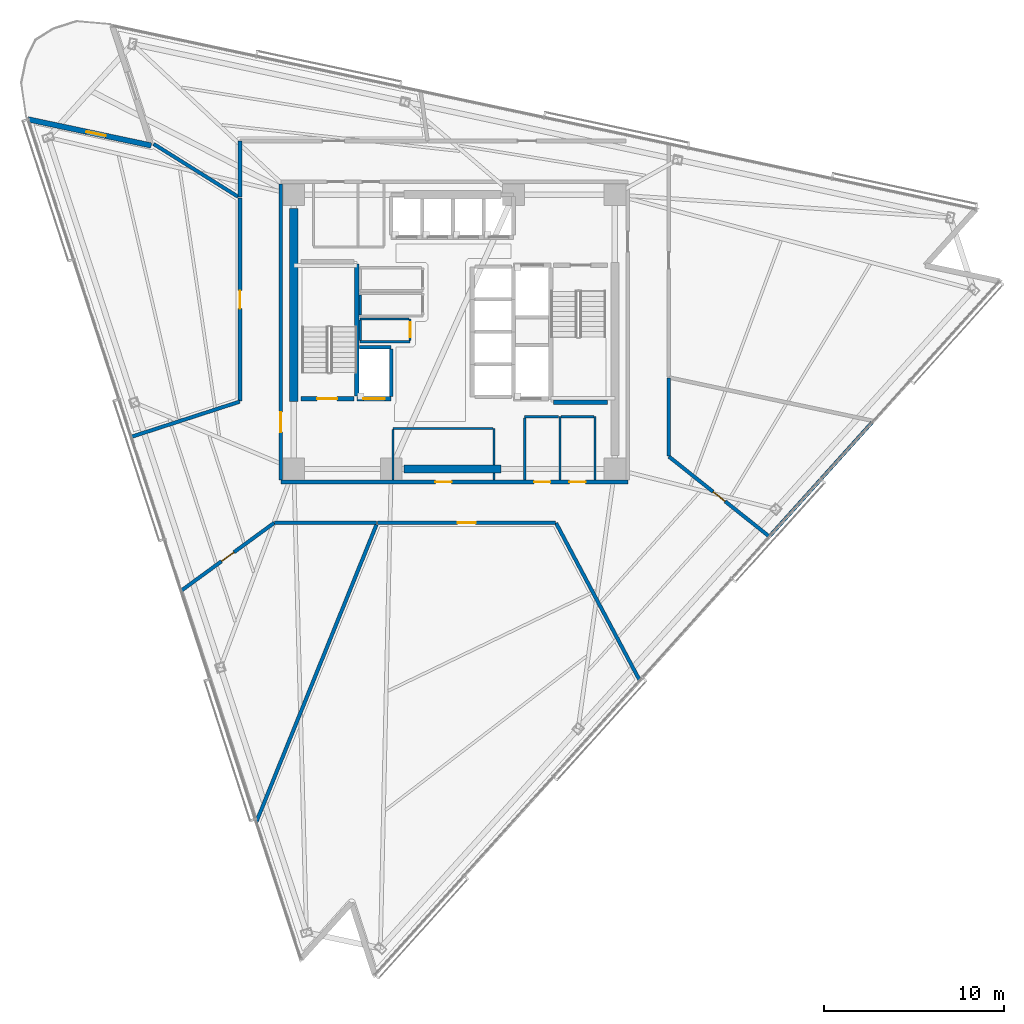
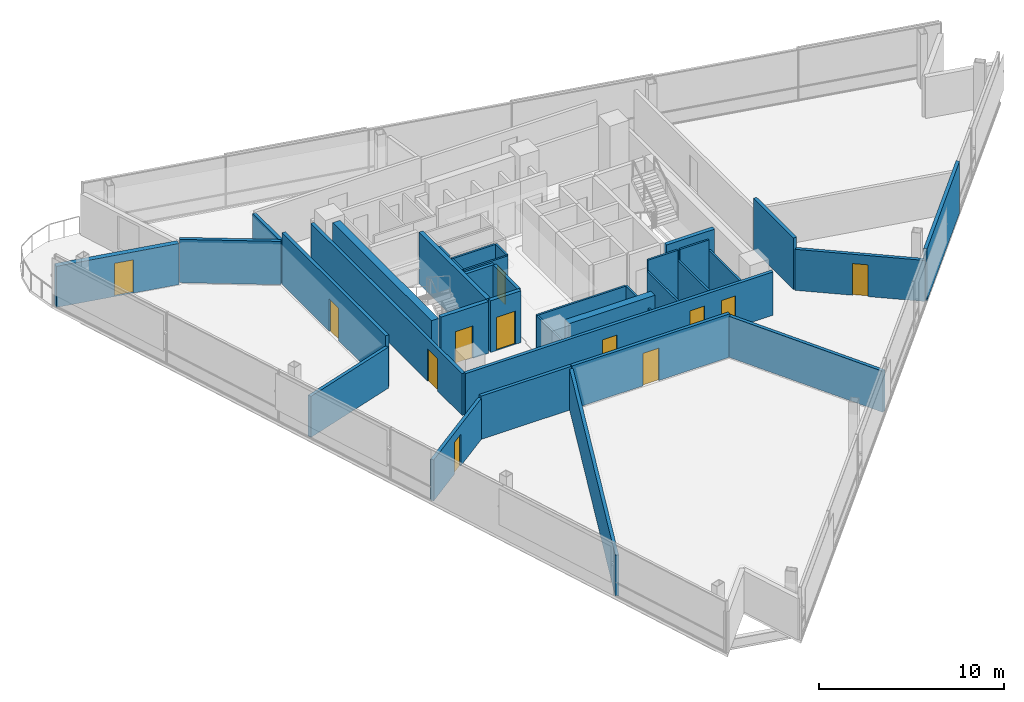
# One storey, part 10 of 17: 37 walls, 12 doors, 12 openings.
"""IFC4 building model written with IfcOpenShell, lengths in metres."""

from ifc_helpers import new_model, si_unit, direction, frame, frame_2d, origin, place, context, subcontext, project, spatial, rectangle, extrude, material, layer, layer_set, type_object, element, fill, save


model = new_model("IFC4")

# Units and contexts
model_context = context("Model", 3, precision=1e-05, world=origin(), true_north=direction((0.0, 1.0)))
body_context = subcontext(model_context, "Body", "Model", "MODEL_VIEW")
ifc_project = project(units=[si_unit("LENGTHUNIT", "METRE"), si_unit("AREAUNIT", "SQUARE_METRE"), si_unit("VOLUMEUNIT", "CUBIC_METRE"), si_unit("PLANEANGLEUNIT", "RADIAN"), si_unit("MASSUNIT", "GRAM", prefix="KILO")], contexts=[model_context])

# Site, building, storey
site_placement = place(None, origin())
site = spatial("IfcSite", under=ifc_project, at=site_placement, CompositionType="ELEMENT")
building_placement = place(site_placement, origin())
building = spatial("IfcBuilding", under=site, at=building_placement, Name="Tharavind Bronze Gate", CompositionType="ELEMENT")
storey_placement = place(building_placement, frame((0.0, 0.0, 207.64990234375)))
storey = spatial("IfcBuildingStorey", under=building, at=storey_placement, Name="L53", CompositionType="ELEMENT", Elevation=207.64990234375)

# Wall, opening, door
ifc_material_1 = material(Name="Concrete C40/50", Category="concrete")
ifc_layer_1 = layer(ifc_material_1, 0.300048828125)
ifc_layer_set_1 = layer_set([ifc_layer_1], Name="Concrete C40/50")
wall_type_1 = type_object("IfcWallType", Name="EXTERIOR SPANDREL WALL 300", PredefinedType="STANDARD", material=ifc_layer_set_1)
wall_1_placement = place(storey_placement, frame((-16.802734375, 10.329345703125, 0.0), z_axis=(0.0, 0.0, 1.0), x_axis=(-0.9781486268, 0.207906863497, 0.0)))
wall_1 = element("IfcWall", 1, at=wall_1_placement, inside=storey, type_object=wall_type_1, Name="L53 notch cheek wall 1B", PredefinedType="STANDARD", context=body_context, shape_type="SweptSolid", body=[
    extrude(rectangle(XDim=6.97998046875, YDim=0.300048828125, at=frame_2d((3.489990234375, 0.0))), origin(), (0.0, 0.0, 1.0), 2.715087890625),
])
opening_1_placement = place(wall_1_placement, frame((2.570068359375, 0.0, 0.0)))
opening_1 = element("IfcOpeningElement", 2, at=opening_1_placement, cuts=wall_1, Name="Opening ED04", PredefinedType="OPENING", context=body_context, shape_type="SweptSolid", body=[
    extrude(rectangle(XDim=1.10009765625, YDim=2.199951171875, at=frame_2d((0.550048828125, 1.10009765625))), frame((0.0, 0.15990234375, 0.0), z_axis=(0.0, -1.0, 0.0), x_axis=(1.0, 0.0, 0.0)), (0.0, 0.0, 1.0), 0.320048828125),
])
ifc_material_2 = material(Name="Bronze Aluminium & Toughened Glass", Category="aluminium")
door_type_1 = type_object("IfcDoorType", Name="TREE BALCONY ACCESS DOOR 1100X2200", OperationType="SINGLE_SWING_LEFT", PredefinedType="DOOR", material=ifc_material_2)
door_1_placement = place(opening_1_placement, frame((1.10009765625, 0.0, 0.0), z_axis=(0.0, 0.0, 1.0), x_axis=(-1.0, 0.0, 0.0)))
door_1 = element("IfcDoor", 3, at=door_1_placement, inside=storey, type_object=door_type_1, Name="L53 tree balcony access door", OperationType="SINGLE_SWING_LEFT", OverallHeight=2.199951171875, OverallWidth=1.10009765625, PredefinedType="DOOR", context=body_context, shape_type="SweptSolid", body=[
    extrude(rectangle(XDim=1.10009765625, YDim=2.199951171875, at=frame_2d((0.550048828125, 1.10009765625))), frame((0.0, 0.02490234375, 0.0), z_axis=(0.0, -1.0, 0.0), x_axis=(1.0, 0.0, 0.0)), (0.0, 0.0, 1.0), 0.050048828125),
])
fill(opening_1, door_1)

# Wall, openings, doors
ifc_material_3 = material(Name="Aerated Concrete Block", Category="concrete")
ifc_layer_2 = layer(ifc_material_3, 0.199951171875)
ifc_layer_set_2 = layer_set([ifc_layer_2], Name="Aerated Concrete Block")
wall_type_2 = type_object("IfcWallType", Name="FIRE RATED PARTITION 200", PredefinedType="PARTITIONING", material=ifc_layer_set_2)
wall_2_placement = place(storey_placement, frame((-9.6201171875, -8.320068359375, 0.0), z_axis=(0.0, 0.0, 1.0), x_axis=(1.0, 0.0, 0.0)))
wall_2 = element("IfcWall", 4, at=wall_2_placement, inside=storey, type_object=wall_type_2, Name="L53 south core corridor wall", PredefinedType="PARTITIONING", context=body_context, shape_type="SweptSolid", body=[
    extrude(rectangle(XDim=19.240234375, YDim=0.199951171875, at=frame_2d((9.6201171875, 0.0))), origin(), (0.0, 0.0, 1.0), 2.864990234375),
])
opening_2_placement = place(wall_2_placement, frame((8.570068359375, 0.0, 0.0)))
opening_2 = element("IfcOpeningElement", 5, at=opening_2_placement, cuts=wall_2, Name="Opening ID07", PredefinedType="OPENING", context=body_context, shape_type="SweptSolid", body=[
    extrude(rectangle(XDim=0.89990234375, YDim=2.10009765625, at=frame_2d((0.449951171875, 1.050048828125))), frame((0.0, 0.11009765625, 0.0), z_axis=(0.0, -1.0, 0.0), x_axis=(1.0, 0.0, 0.0)), (0.0, 0.0, 1.0), 0.219951171875),
])
opening_3_placement = place(wall_2_placement, frame((14.044921875, 0.0, 0.0)))
opening_3 = element("IfcOpeningElement", 6, at=opening_3_placement, cuts=wall_2, Name="Opening ID07", PredefinedType="OPENING", context=body_context, shape_type="SweptSolid", body=[
    extrude(rectangle(XDim=0.89990234375, YDim=2.10009765625, at=frame_2d((0.449951171875, 1.050048828125))), frame((0.0, 0.11009765625, 0.0), z_axis=(0.0, -1.0, 0.0), x_axis=(1.0, 0.0, 0.0)), (0.0, 0.0, 1.0), 0.219951171875),
])
opening_4_placement = place(wall_2_placement, frame((15.9951171875, 0.0, 0.0)))
opening_4 = element("IfcOpeningElement", 7, at=opening_4_placement, cuts=wall_2, Name="Opening ID07", PredefinedType="OPENING", context=body_context, shape_type="SweptSolid", body=[
    extrude(rectangle(XDim=0.89990234375, YDim=2.10009765625, at=frame_2d((0.449951171875, 1.050048828125))), frame((0.0, 0.11009765625, 0.0), z_axis=(0.0, -1.0, 0.0), x_axis=(1.0, 0.0, 0.0)), (0.0, 0.0, 1.0), 0.219951171875),
])
ifc_material_4 = material(Name="Galvanised Fire Steel", Category="steel")
door_type_2 = type_object("IfcDoorType", Name="PLANT AND RISER FIRE DOOR 900X2100", OperationType="SINGLE_SWING_LEFT", PredefinedType="DOOR", material=ifc_material_4)
door_2_placement = place(opening_2_placement, origin())
door_2 = element("IfcDoor", 8, at=door_2_placement, inside=storey, type_object=door_type_2, Name="L53 Core BMS Control Room fire door", OperationType="SINGLE_SWING_LEFT", OverallHeight=2.10009765625, OverallWidth=0.89990234375, PredefinedType="DOOR", context=body_context, shape_type="SweptSolid", body=[
    extrude(rectangle(XDim=0.89990234375, YDim=2.10009765625, at=frame_2d((0.449951171875, 1.050048828125))), frame((0.0, 0.02490234375, 0.0), z_axis=(0.0, -1.0, 0.0), x_axis=(1.0, 0.0, 0.0)), (0.0, 0.0, 1.0), 0.050048828125),
])
fill(opening_2, door_2)
door_3_placement = place(opening_3_placement, origin())
door_3 = element("IfcDoor", 9, at=door_3_placement, inside=storey, type_object=door_type_2, Name="L53 Comms Patch Room fire door", OperationType="SINGLE_SWING_LEFT", OverallHeight=2.10009765625, OverallWidth=0.89990234375, PredefinedType="DOOR", context=body_context, shape_type="SweptSolid", body=[
    extrude(rectangle(XDim=0.89990234375, YDim=2.10009765625, at=frame_2d((0.449951171875, 1.050048828125))), frame((0.0, 0.02490234375, 0.0), z_axis=(0.0, -1.0, 0.0), x_axis=(1.0, 0.0, 0.0)), (0.0, 0.0, 1.0), 0.050048828125),
])
fill(opening_3, door_3)
door_4_placement = place(opening_4_placement, origin())
door_4 = element("IfcDoor", 10, at=door_4_placement, inside=storey, type_object=door_type_2, Name="L53 Housekeeping Store fire door", OperationType="SINGLE_SWING_LEFT", OverallHeight=2.10009765625, OverallWidth=0.89990234375, PredefinedType="DOOR", context=body_context, shape_type="SweptSolid", body=[
    extrude(rectangle(XDim=0.89990234375, YDim=2.10009765625, at=frame_2d((0.449951171875, 1.050048828125))), frame((0.0, 0.02490234375, 0.0), z_axis=(0.0, -1.0, 0.0), x_axis=(1.0, 0.0, 0.0)), (0.0, 0.0, 1.0), 0.050048828125),
])
fill(opening_4, door_4)

# Wall, opening, door
wall_3_placement = place(storey_placement, frame((-9.6201171875, 8.199951171875, 0.0), z_axis=(0.0, 0.0, 1.0), x_axis=(0.0, -1.0, 0.0)))
wall_3 = element("IfcWall", 11, at=wall_3_placement, inside=storey, type_object=wall_type_2, Name="L53 west core corridor wall", PredefinedType="PARTITIONING", context=body_context, shape_type="SweptSolid", body=[
    extrude(rectangle(XDim=16.39990234375, YDim=0.199951171875, at=frame_2d((8.199951171875, 0.0))), origin(), (0.0, 0.0, 1.0), 2.76513671875),
])
opening_5_placement = place(wall_3_placement, frame((12.64990234375, 0.0, 0.0)))
opening_5 = element("IfcOpeningElement", 12, at=opening_5_placement, cuts=wall_3, Name="Opening ID01", PredefinedType="OPENING", context=body_context, shape_type="SweptSolid", body=[
    extrude(rectangle(XDim=1.10009765625, YDim=2.14990234375, at=frame_2d((0.550048828125, 1.074951171875))), frame((0.0, 0.11009765625, 0.0), z_axis=(0.0, -1.0, 0.0), x_axis=(1.0, 0.0, 0.0)), (0.0, 0.0, 1.0), 0.219951171875),
])
ifc_material_5 = material(Name="Fire-Rated Steel", Category="steel")
door_type_3 = type_object("IfcDoorType", Name="STAIR CORE FIRE DOOR 1100X2150", OperationType="SINGLE_SWING_LEFT", PredefinedType="DOOR", material=ifc_material_5)
door_5_placement = place(opening_5_placement, frame((1.10009765625, 0.0, 0.0), z_axis=(0.0, 0.0, 1.0), x_axis=(-1.0, 0.0, 0.0)))
door_5 = element("IfcDoor", 13, at=door_5_placement, inside=storey, type_object=door_type_3, Name="L53 south west stair lobby fire door", OperationType="SINGLE_SWING_LEFT", OverallHeight=2.14990234375, OverallWidth=1.10009765625, PredefinedType="DOOR", context=body_context, shape_type="SweptSolid", body=[
    extrude(rectangle(XDim=1.10009765625, YDim=2.14990234375, at=frame_2d((0.550048828125, 1.074951171875))), frame((0.0, 0.02490234375, 0.0), z_axis=(0.0, -1.0, 0.0), x_axis=(1.0, 0.0, 0.0)), (0.0, 0.0, 1.0), 0.050048828125),
])
fill(opening_5, door_5)

wall_4_placement = place(storey_placement, frame((-15.14111328125, -14.3466796875, 0.0), z_axis=(0.0, 0.0, 1.0), x_axis=(0.807843616105, 0.589396888284, 0.0)))
wall_4 = element("IfcWall", 14, at=wall_4_placement, inside=storey, type_object=wall_type_2, Name="L53 Public Restrooms Block partition", PredefinedType="PARTITIONING", context=body_context, shape_type="SweptSolid", body=[
    extrude(rectangle(XDim=6.3828125, YDim=0.199951171875, at=frame_2d((3.19140625, 0.0))), origin(), (0.0, 0.0, 1.0), 2.715087890625),
])
opening_6_placement = place(wall_4_placement, frame((2.76611328125, 0.0, 0.0)))
opening_6 = element("IfcOpeningElement", 15, at=opening_6_placement, cuts=wall_4, Name="Opening ID06", PredefinedType="OPENING", context=body_context, shape_type="SweptSolid", body=[
    extrude(rectangle(XDim=0.85009765625, YDim=2.10009765625, at=frame_2d((0.425048828125, 1.050048828125))), frame((0.0, 0.11009765625, 0.0), z_axis=(0.0, -1.0, 0.0), x_axis=(1.0, 0.0, 0.0)), (0.0, 0.0, 1.0), 0.219951171875),
])
ifc_material_6 = material(Name="Moisture-Resistant Timber", Category="wood")
door_type_4 = type_object("IfcDoorType", Name="BATHROOM PRIVACY DOOR 850X2100", OperationType="SINGLE_SWING_RIGHT", PredefinedType="DOOR", material=ifc_material_6)
door_6_placement = place(opening_6_placement, origin())
door_6 = element("IfcDoor", 16, at=door_6_placement, inside=storey, type_object=door_type_4, Name="L53 Public Restrooms Block door", OperationType="SINGLE_SWING_RIGHT", OverallHeight=2.10009765625, OverallWidth=0.85009765625, PredefinedType="DOOR", context=body_context, shape_type="SweptSolid", body=[
    extrude(rectangle(XDim=0.85009765625, YDim=2.10009765625, at=frame_2d((0.425048828125, 1.050048828125))), frame((0.0, 0.02490234375, 0.0), z_axis=(0.0, -1.0, 0.0), x_axis=(1.0, 0.0, 0.0)), (0.0, 0.0, 1.0), 0.050048828125),
])
fill(opening_6, door_6)

# Walls
wall_5_placement = place(storey_placement, frame((-9.969970703125, -10.580078125, 0.0), z_axis=(0.0, 0.0, 1.0), x_axis=(1.0, 0.0, 0.0)))
element("IfcWall", 17, at=wall_5_placement, inside=storey, type_object=wall_type_2, Name="L53 Public Restrooms Block partition", PredefinedType="PARTITIONING", context=body_context, shape_type="SweptSolid", body=[
    extrude(rectangle(XDim=5.658203125, YDim=0.199951171875, at=frame_2d((2.8291015625, 0.0))), origin(), (0.0, 0.0, 1.0), 2.864990234375),
])
wall_6_placement = place(storey_placement, frame((-4.31689453125, -10.68505859375, 0.0), z_axis=(0.0, 0.0, 1.0), x_axis=(-0.374604298034, -0.927184781958, 0.0)))
element("IfcWall", 18, at=wall_6_placement, inside=storey, type_object=wall_type_2, Name="L53 Public Restrooms Block partition", PredefinedType="PARTITIONING", context=body_context, shape_type="SweptSolid", body=[
    extrude(rectangle(XDim=17.775146484375, YDim=0.199951171875, at=frame_2d((8.8876953125, 0.0))), origin(), (0.0, 0.0, 1.0), 2.715087890625),
])

# Wall, opening, door
wall_7_placement = place(storey_placement, frame((17.4560546875, -11.34228515625, 0.0), z_axis=(0.0, 0.0, 1.0), x_axis=(-0.782369623791, 0.622814395923, 0.0)))
wall_7 = element("IfcWall", 19, at=wall_7_placement, inside=storey, type_object=wall_type_2, Name="L53 Public Restrooms Block partition", PredefinedType="PARTITIONING", context=body_context, shape_type="SweptSolid", body=[
    extrude(rectangle(XDim=7.115234375, YDim=0.199951171875, at=frame_2d((3.5576171875, 0.0))), origin(), (0.0, 0.0, 1.0), 2.715087890625),
])
opening_7_placement = place(wall_7_placement, frame((3.133056640625, 0.0, 0.0)))
opening_7 = element("IfcOpeningElement", 20, at=opening_7_placement, cuts=wall_7, Name="Opening ID06", PredefinedType="OPENING", context=body_context, shape_type="SweptSolid", body=[
    extrude(rectangle(XDim=0.85009765625, YDim=2.10009765625, at=frame_2d((0.425048828125, 1.050048828125))), frame((0.0, 0.11009765625, 0.0), z_axis=(0.0, -1.0, 0.0), x_axis=(1.0, 0.0, 0.0)), (0.0, 0.0, 1.0), 0.219951171875),
])
door_7_placement = place(opening_7_placement, origin())
door_7 = element("IfcDoor", 21, at=door_7_placement, inside=storey, type_object=door_type_4, Name="L53 Public Restrooms Block door", OperationType="SINGLE_SWING_RIGHT", OverallHeight=2.10009765625, OverallWidth=0.85009765625, PredefinedType="DOOR", context=body_context, shape_type="SweptSolid", body=[
    extrude(rectangle(XDim=0.85009765625, YDim=2.10009765625, at=frame_2d((0.425048828125, 1.050048828125))), frame((0.0, 0.02490234375, 0.0), z_axis=(0.0, -1.0, 0.0), x_axis=(1.0, 0.0, 0.0)), (0.0, 0.0, 1.0), 0.050048828125),
])
fill(opening_7, door_7)

# Walls
wall_8_placement = place(storey_placement, frame((11.8798828125, -6.891357421875, 0.0), z_axis=(0.0, 0.0, 1.0), x_axis=(0.0, 1.0, 0.0)))
element("IfcWall", 22, at=wall_8_placement, inside=storey, type_object=wall_type_2, Name="L53 Public Restrooms Block partition", PredefinedType="PARTITIONING", context=body_context, shape_type="SweptSolid", body=[
    extrude(rectangle(XDim=4.33544921875, YDim=0.199951171875, at=frame_2d((2.167724609375, 0.0))), origin(), (0.0, 0.0, 1.0), 3.420166015625),
])
wall_9_placement = place(storey_placement, frame((23.142822265625, -5.026611328125, 0.0), z_axis=(0.0, 0.0, 1.0), x_axis=(-0.669131712816, -0.743143829218, 0.0)))
element("IfcWall", 23, at=wall_9_placement, inside=storey, type_object=wall_type_2, Name="L53 Public Restrooms Block partition", PredefinedType="PARTITIONING", context=body_context, shape_type="SweptSolid", body=[
    extrude(rectangle(XDim=8.48095703125, YDim=0.199951171875, at=frame_2d((4.240478515625, 0.0))), origin(), (0.0, 0.0, 1.0), 3.420166015625),
])
wall_10_placement = place(storey_placement, frame((-11.8798828125, 10.579345703125, 0.0), z_axis=(0.0, 0.0, 1.0), x_axis=(0.0, -1.0, 0.0)))
element("IfcWall", 24, at=wall_10_placement, inside=storey, type_object=wall_type_2, Name="L53 Panoramic Boardroom partition", PredefinedType="PARTITIONING", context=body_context, shape_type="SweptSolid", body=[
    extrude(rectangle(XDim=3.11083984375, YDim=0.199951171875, at=frame_2d((1.555419921875, 0.0))), origin(), (0.0, 0.0, 1.0), 2.76513671875),
])
wall_11_placement = place(storey_placement, frame((-11.985107421875, 7.489013671875, 0.0), z_axis=(0.0, 0.0, 1.0), x_axis=(-0.848035563326, 0.529939320427, 0.0)))
element("IfcWall", 25, at=wall_11_placement, inside=storey, type_object=wall_type_2, Name="L53 Panoramic Boardroom partition", PredefinedType="PARTITIONING", context=body_context, shape_type="SweptSolid", body=[
    extrude(rectangle(XDim=5.521484375, YDim=0.199951171875, at=frame_2d((2.7607421875, 0.0))), origin(), (0.0, 0.0, 1.0), 2.864990234375),
])

# Wall, opening, door
wall_12_placement = place(storey_placement, frame((-11.8798828125, 7.40966796875, 0.0), z_axis=(0.0, 0.0, 1.0), x_axis=(0.0, -1.0, 0.0)))
wall_12 = element("IfcWall", 26, at=wall_12_placement, inside=storey, type_object=wall_type_2, Name="L53 Principal Office partition", PredefinedType="PARTITIONING", context=body_context, shape_type="SweptSolid", body=[
    extrude(rectangle(XDim=11.25146484375, YDim=0.199951171875, at=frame_2d((5.625732421875, 0.0))), origin(), (0.0, 0.0, 1.0), 3.420166015625),
])
opening_8_placement = place(wall_12_placement, frame((5.1259765625, 0.0, 0.0)))
opening_8 = element("IfcOpeningElement", 27, at=opening_8_placement, cuts=wall_12, Name="Opening ID04", PredefinedType="OPENING", context=body_context, shape_type="SweptSolid", body=[
    extrude(rectangle(XDim=1.0, YDim=2.14990234375, at=frame_2d((0.5, 1.074951171875))), frame((0.0, 0.11009765625, 0.0), z_axis=(0.0, -1.0, 0.0), x_axis=(1.0, 0.0, 0.0)), (0.0, 0.0, 1.0), 0.219951171875),
])
ifc_material_7 = material(Name="Bronze Framed Acoustic Timber", Category="wood")
door_type_5 = type_object("IfcDoorType", Name="OFFICE TENANCY DOOR 1000X2150", OperationType="SINGLE_SWING_RIGHT", PredefinedType="DOOR", material=ifc_material_7)
door_8_placement = place(opening_8_placement, origin())
door_8 = element("IfcDoor", 28, at=door_8_placement, inside=storey, type_object=door_type_5, Name="L53 Principal Office door", OperationType="SINGLE_SWING_RIGHT", OverallHeight=2.14990234375, OverallWidth=1.0, PredefinedType="DOOR", context=body_context, shape_type="SweptSolid", body=[
    extrude(rectangle(XDim=1.0, YDim=2.14990234375, at=frame_2d((0.5, 1.074951171875))), frame((0.0, 0.02490234375, 0.0), z_axis=(0.0, -1.0, 0.0), x_axis=(1.0, 0.0, 0.0)), (0.0, 0.0, 1.0), 0.050048828125),
])
fill(opening_8, door_8)

# Wall
wall_13_placement = place(storey_placement, frame((-11.897216796875, -3.86572265625, 0.0), z_axis=(0.0, 0.0, 1.0), x_axis=(-0.951062833603, -0.308997551024, 0.0)))
element("IfcWall", 29, at=wall_13_placement, inside=storey, type_object=wall_type_2, Name="L53 Principal Office partition", PredefinedType="PARTITIONING", context=body_context, shape_type="SweptSolid", body=[
    extrude(rectangle(XDim=6.298828125, YDim=0.199951171875, at=frame_2d((3.1494140625, 0.0))), origin(), (0.0, 0.0, 1.0), 2.715087890625),
])

# Wall, opening, door
wall_14_placement = place(storey_placement, frame((-4.2578125, -10.580078125, 0.0), z_axis=(0.0, 0.0, 1.0), x_axis=(1.0, 0.0, 0.0)))
wall_14 = element("IfcWall", 30, at=wall_14_placement, inside=storey, type_object=wall_type_2, Name="L53 Advisory Open Office partition", PredefinedType="PARTITIONING", context=body_context, shape_type="SweptSolid", body=[
    extrude(rectangle(XDim=9.868408203125, YDim=0.199951171875, at=frame_2d((4.93408203125, 0.0))), origin(), (0.0, 0.0, 1.0), 2.864990234375),
])
opening_9_placement = place(wall_14_placement, frame((4.43408203125, 0.0, 0.0)))
opening_9 = element("IfcOpeningElement", 31, at=opening_9_placement, cuts=wall_14, Name="Opening ID04", PredefinedType="OPENING", context=body_context, shape_type="SweptSolid", body=[
    extrude(rectangle(XDim=1.0, YDim=2.14990234375, at=frame_2d((0.5, 1.074951171875))), frame((0.0, 0.11009765625, 0.0), z_axis=(0.0, -1.0, 0.0), x_axis=(1.0, 0.0, 0.0)), (0.0, 0.0, 1.0), 0.219951171875),
])
door_9_placement = place(opening_9_placement, origin())
door_9 = element("IfcDoor", 32, at=door_9_placement, inside=storey, type_object=door_type_5, Name="L53 Advisory Open Office door", OperationType="SINGLE_SWING_RIGHT", OverallHeight=2.14990234375, OverallWidth=1.0, PredefinedType="DOOR", context=body_context, shape_type="SweptSolid", body=[
    extrude(rectangle(XDim=1.0, YDim=2.14990234375, at=frame_2d((0.5, 1.074951171875))), frame((0.0, 0.02490234375, 0.0), z_axis=(0.0, -1.0, 0.0), x_axis=(1.0, 0.0, 0.0)), (0.0, 0.0, 1.0), 0.050048828125),
])
fill(opening_9, door_9)

# Walls
wall_15_placement = place(storey_placement, frame((5.632568359375, -10.59326171875, 0.0), z_axis=(0.0, 0.0, 1.0), x_axis=(0.46946276715, -0.882952269525, 0.0)))
element("IfcWall", 33, at=wall_15_placement, inside=storey, type_object=wall_type_2, Name="L53 Advisory Open Office partition", PredefinedType="PARTITIONING", context=body_context, shape_type="SweptSolid", body=[
    extrude(rectangle(XDim=9.8662109375, YDim=0.199951171875, at=frame_2d((4.93310546875, 0.0))), origin(), (0.0, 0.0, 1.0), 2.715087890625),
])
ifc_material_8 = material(Name="Metal Stud Gypsum Partition", Category="gypsum")
ifc_layer_3 = layer(ifc_material_8, 0.1201171875)
ifc_layer_set_3 = layer_set([ifc_layer_3], Name="Metal Stud Gypsum Partition")
wall_type_3 = type_object("IfcWallType", Name="INTERIOR PARTITION WALL 120", PredefinedType="PARTITIONING", material=ifc_layer_set_3)
wall_16_placement = place(storey_placement, frame((-5.219970703125, 2.054931640625, 0.0), z_axis=(0.0, 0.0, 1.0), x_axis=(0.0, -1.0, 0.0)))
element("IfcWall", 34, at=wall_16_placement, inside=storey, type_object=wall_type_3, Name="L53 Comms Data Room partition 4", PredefinedType="PARTITIONING", context=body_context, shape_type="SweptSolid", body=[
    extrude(rectangle(XDim=1.10986328125, YDim=0.1201171875, at=frame_2d((0.554931640625, 0.0))), origin(), (0.0, 0.0, 1.0), 3.420166015625),
])
wall_17_placement = place(storey_placement, frame((-5.219970703125, -0.550048828125, 0.0), z_axis=(0.0, 0.0, 1.0), x_axis=(1.0, 0.0, 0.0)))
element("IfcWall", 35, at=wall_17_placement, inside=storey, type_object=wall_type_3, Name="L53 Electrical Metering Store partition 1", PredefinedType="PARTITIONING", context=body_context, shape_type="SweptSolid", body=[
    extrude(rectangle(XDim=2.77001953125, YDim=0.1201171875, at=frame_2d((1.385009765625, 0.0))), origin(), (0.0, 0.0, 1.0), 3.420166015625),
])

# Wall, opening, door
wall_18_placement = place(storey_placement, frame((-2.449951171875, -0.485107421875, 0.0), z_axis=(0.0, 0.0, 1.0), x_axis=(0.0, 1.0, 0.0)))
wall_18 = element("IfcWall", 36, at=wall_18_placement, inside=storey, type_object=wall_type_3, Name="L53 Electrical Metering Store partition 2", PredefinedType="PARTITIONING", context=body_context, shape_type="SweptSolid", body=[
    extrude(rectangle(XDim=1.205078125, YDim=0.1201171875, at=frame_2d((0.6025390625, 0.0))), origin(), (0.0, 0.0, 1.0), 3.420166015625),
])
opening_10_placement = place(wall_18_placement, frame((0.177978515625, 0.0, 0.0)))
opening_10 = element("IfcOpeningElement", 37, at=opening_10_placement, cuts=wall_18, Name="Opening ID06", PredefinedType="OPENING", context=body_context, shape_type="SweptSolid", body=[
    extrude(rectangle(XDim=0.85009765625, YDim=2.10009765625, at=frame_2d((0.425048828125, 1.050048828125))), frame((0.0, 0.07005859375, 0.0), z_axis=(0.0, -1.0, 0.0), x_axis=(1.0, 0.0, 0.0)), (0.0, 0.0, 1.0), 0.1401171875),
])
door_10_placement = place(opening_10_placement, frame((0.85009765625, 0.0, 0.0), z_axis=(0.0, 0.0, 1.0), x_axis=(-1.0, 0.0, 0.0)))
door_10 = element("IfcDoor", 38, at=door_10_placement, inside=storey, type_object=door_type_4, Name="L53 Electrical Metering Store door", OperationType="SINGLE_SWING_RIGHT", OverallHeight=2.10009765625, OverallWidth=0.85009765625, PredefinedType="DOOR", context=body_context, shape_type="SweptSolid", body=[
    extrude(rectangle(XDim=0.85009765625, YDim=2.10009765625, at=frame_2d((0.425048828125, 1.050048828125))), frame((0.0, 0.02490234375, 0.0), z_axis=(0.0, -1.0, 0.0), x_axis=(1.0, 0.0, 0.0)), (0.0, 0.0, 1.0), 0.050048828125),
])
fill(opening_10, door_10)

# Walls
wall_19_placement = place(storey_placement, frame((-2.514892578125, 0.719970703125, 0.0), z_axis=(0.0, 0.0, 1.0), x_axis=(-1.0, 0.0, 0.0)))
element("IfcWall", 39, at=wall_19_placement, inside=storey, type_object=wall_type_3, Name="L53 Electrical Metering Store partition 3", PredefinedType="PARTITIONING", context=body_context, shape_type="SweptSolid", body=[
    extrude(rectangle(XDim=2.705078125, YDim=0.1201171875, at=frame_2d((1.3525390625, 0.0))), origin(), (0.0, 0.0, 1.0), 3.420166015625),
])
wall_20_placement = place(storey_placement, frame((-5.219970703125, 0.655029296875, 0.0), z_axis=(0.0, 0.0, 1.0), x_axis=(0.0, -1.0, 0.0)))
element("IfcWall", 40, at=wall_20_placement, inside=storey, type_object=wall_type_3, Name="L53 Electrical Metering Store partition 4", PredefinedType="PARTITIONING", context=body_context, shape_type="SweptSolid", body=[
    extrude(rectangle(XDim=1.14013671875, YDim=0.1201171875, at=frame_2d((0.570068359375, 0.0))), origin(), (0.0, 0.0, 1.0), 3.420166015625),
])
wall_21_placement = place(storey_placement, frame((2.199951171875, -8.215087890625, 0.0), z_axis=(0.0, 0.0, 1.0), x_axis=(0.0, 1.0, 0.0)))
element("IfcWall", 41, at=wall_21_placement, inside=storey, type_object=wall_type_3, Name="L53 Core BMS Control Room partition 2", PredefinedType="PARTITIONING", context=body_context, shape_type="SweptSolid", body=[
    extrude(rectangle(XDim=0.385009765625, YDim=0.1201171875, at=frame_2d((0.1923828125, 0.0))), origin(), (0.0, 0.0, 1.0), 2.715087890625),
])
wall_22_placement = place(storey_placement, frame((2.199951171875, -7.3701171875, 0.0), z_axis=(0.0, 0.0, 1.0), x_axis=(0.0, 1.0, 0.0)))
element("IfcWall", 42, at=wall_22_placement, inside=storey, type_object=wall_type_3, Name="L53 Core BMS Control Room partition 2", PredefinedType="PARTITIONING", context=body_context, shape_type="SweptSolid", body=[
    extrude(rectangle(XDim=2.02001953125, YDim=0.1201171875, at=frame_2d((1.010009765625, 0.0))), origin(), (0.0, 0.0, 1.0), 2.715087890625),
])
wall_23_placement = place(storey_placement, frame((2.135009765625, -5.35009765625, 0.0), z_axis=(0.0, 0.0, 1.0), x_axis=(-1.0, 0.0, 0.0)))
element("IfcWall", 43, at=wall_23_placement, inside=storey, type_object=wall_type_3, Name="L53 Core BMS Control Room partition 3", PredefinedType="PARTITIONING", context=body_context, shape_type="SweptSolid", body=[
    extrude(rectangle(XDim=5.534912109375, YDim=0.1201171875, at=frame_2d((2.767578125, 0.0))), origin(), (0.0, 0.0, 1.0), 2.715087890625),
])
wall_24_placement = place(storey_placement, frame((-3.39990234375, -5.4150390625, 0.0), z_axis=(0.0, 0.0, 1.0), x_axis=(0.0, -1.0, 0.0)))
element("IfcWall", 44, at=wall_24_placement, inside=storey, type_object=wall_type_3, Name="L53 Core BMS Control Room partition 4", PredefinedType="PARTITIONING", context=body_context, shape_type="SweptSolid", body=[
    extrude(rectangle(XDim=2.800048828125, YDim=0.1201171875, at=frame_2d((1.39990234375, 0.0))), origin(), (0.0, 0.0, 1.0), 2.715087890625),
])
wall_25_placement = place(storey_placement, frame((5.85009765625, -8.215087890625, 0.0), z_axis=(0.0, 0.0, 1.0), x_axis=(0.0, 1.0, 0.0)))
element("IfcWall", 45, at=wall_25_placement, inside=storey, type_object=wall_type_3, Name="L53 Comms Patch Room partition 2", PredefinedType="PARTITIONING", context=body_context, shape_type="SweptSolid", body=[
    extrude(rectangle(XDim=3.51513671875, YDim=0.1201171875, at=frame_2d((1.757568359375, 0.0))), origin(), (0.0, 0.0, 1.0), 2.715087890625),
])
wall_26_placement = place(storey_placement, frame((5.784912109375, -4.699951171875, 0.0), z_axis=(0.0, 0.0, 1.0), x_axis=(-1.0, 0.0, 0.0)))
element("IfcWall", 46, at=wall_26_placement, inside=storey, type_object=wall_type_3, Name="L53 Comms Patch Room partition 3", PredefinedType="PARTITIONING", context=body_context, shape_type="SweptSolid", body=[
    extrude(rectangle(XDim=1.885009765625, YDim=0.1201171875, at=frame_2d((0.9423828125, 0.0))), origin(), (0.0, 0.0, 1.0), 3.420166015625),
])
wall_27_placement = place(storey_placement, frame((3.89990234375, -4.764892578125, 0.0), z_axis=(0.0, 0.0, 1.0), x_axis=(0.0, -1.0, 0.0)))
element("IfcWall", 47, at=wall_27_placement, inside=storey, type_object=wall_type_3, Name="L53 Comms Patch Room partition 4", PredefinedType="PARTITIONING", context=body_context, shape_type="SweptSolid", body=[
    extrude(rectangle(XDim=3.4501953125, YDim=0.1201171875, at=frame_2d((1.72509765625, 0.0))), origin(), (0.0, 0.0, 1.0), 2.715087890625),
])
wall_28_placement = place(storey_placement, frame((7.800048828125, -8.215087890625, 0.0), z_axis=(0.0, 0.0, 1.0), x_axis=(0.0, 1.0, 0.0)))
element("IfcWall", 48, at=wall_28_placement, inside=storey, type_object=wall_type_3, Name="L53 Housekeeping Store partition 2", PredefinedType="PARTITIONING", context=body_context, shape_type="SweptSolid", body=[
    extrude(rectangle(XDim=3.51513671875, YDim=0.1201171875, at=frame_2d((1.757568359375, 0.0))), origin(), (0.0, 0.0, 1.0), 2.715087890625),
])
wall_29_placement = place(storey_placement, frame((7.735107421875, -4.699951171875, 0.0), z_axis=(0.0, 0.0, 1.0), x_axis=(-1.0, 0.0, 0.0)))
element("IfcWall", 49, at=wall_29_placement, inside=storey, type_object=wall_type_3, Name="L53 Housekeeping Store partition 3", PredefinedType="PARTITIONING", context=body_context, shape_type="SweptSolid", body=[
    extrude(rectangle(XDim=1.820068359375, YDim=0.1201171875, at=frame_2d((0.91015625, 0.0))), origin(), (0.0, 0.0, 1.0), 3.420166015625),
])
ifc_material_9 = material(Name="Concrete C50/60", Category="concrete")
ifc_layer_4 = layer(ifc_material_9, 0.25)
ifc_layer_set_4 = layer_set([ifc_layer_4], Name="Concrete C50/60")
wall_type_4 = type_object("IfcWallType", Name="RC CORE SHEAR WALL 250", PredefinedType="SHEAR", material=ifc_layer_set_4)
wall_30_placement = place(storey_placement, frame((-5.39990234375, -3.550048828125, 0.0), z_axis=(0.0, 0.0, 1.0), x_axis=(0.0, 1.0, 0.0)))
element("IfcWall", 50, at=wall_30_placement, inside=storey, type_object=wall_type_4, Name="L53 ST1 shaft east wall", PredefinedType="SHEAR", context=body_context, shape_type="SweptSolid", body=[
    extrude(rectangle(XDim=7.300048828125, YDim=0.25, at=frame_2d((3.64990234375, 0.0))), origin(), (0.0, 0.0, 1.0), 3.420166015625),
])

# Wall, opening, door
wall_31_placement = place(storey_placement, frame((-8.5, -3.699951171875, 0.0), z_axis=(0.0, 0.0, 1.0), x_axis=(1.0, 0.0, 0.0)))
wall_31 = element("IfcWall", 51, at=wall_31_placement, inside=storey, type_object=wall_type_4, Name="L53 ST1 shaft south wall", PredefinedType="SHEAR", context=body_context, shape_type="SweptSolid", body=[
    extrude(rectangle(XDim=2.949951171875, YDim=0.25, at=frame_2d((1.47509765625, 0.0))), origin(), (0.0, 0.0, 1.0), 3.420166015625),
])
opening_11_placement = place(wall_31_placement, frame((0.89990234375, 0.0, 0.0)))
opening_11 = element("IfcOpeningElement", 52, at=opening_11_placement, cuts=wall_31, Name="Opening ID01", PredefinedType="OPENING", context=body_context, shape_type="SweptSolid", body=[
    extrude(rectangle(XDim=1.10009765625, YDim=2.14990234375, at=frame_2d((0.550048828125, 1.074951171875))), frame((0.0, 0.135, 0.0), z_axis=(0.0, -1.0, 0.0), x_axis=(1.0, 0.0, 0.0)), (0.0, 0.0, 1.0), 0.27),
])
door_11_placement = place(opening_11_placement, origin())
door_11 = element("IfcDoor", 53, at=door_11_placement, inside=storey, type_object=door_type_3, Name="L53 exit stair ST1 fire door", OperationType="SINGLE_SWING_LEFT", OverallHeight=2.14990234375, OverallWidth=1.10009765625, PredefinedType="DOOR", context=body_context, shape_type="SweptSolid", body=[
    extrude(rectangle(XDim=1.10009765625, YDim=2.14990234375, at=frame_2d((0.550048828125, 1.074951171875))), frame((0.0, 0.02490234375, 0.0), z_axis=(0.0, -1.0, 0.0), x_axis=(1.0, 0.0, 0.0)), (0.0, 0.0, 1.0), 0.050048828125),
])
fill(opening_11, door_11)

# Wall
wall_32_placement = place(storey_placement, frame((5.5, -3.89990234375, 0.0), z_axis=(0.0, 0.0, 1.0), x_axis=(1.0, 0.0, 0.0)))
element("IfcWall", 54, at=wall_32_placement, inside=storey, type_object=wall_type_4, Name="L53 ST2 shaft south wall", PredefinedType="SHEAR", context=body_context, shape_type="SweptSolid", body=[
    extrude(rectangle(XDim=3.0, YDim=0.25, at=frame_2d((1.5, 0.0))), origin(), (0.0, 0.0, 1.0), 3.420166015625),
])

# Wall, opening, door
wall_33_placement = place(storey_placement, frame((-5.39990234375, -3.699951171875, 0.0), z_axis=(0.0, 0.0, 1.0), x_axis=(1.0, 0.0, 0.0)))
wall_33 = element("IfcWall", 55, at=wall_33_placement, inside=storey, type_object=wall_type_4, Name="L53 lift FFL1 shaft front wall", PredefinedType="SHEAR", context=body_context, shape_type="SweptSolid", body=[
    extrude(rectangle(XDim=1.89990234375, YDim=0.25, at=frame_2d((0.949951171875, 0.0))), origin(), (0.0, 0.0, 1.0), 3.420166015625),
])
opening_12_placement = place(wall_33_placement, frame((0.35009765625, 0.0, 0.0)))
opening_12 = element("IfcOpeningElement", 56, at=opening_12_placement, cuts=wall_33, Name="Opening LD02", PredefinedType="OPENING", context=body_context, shape_type="SweptSolid", body=[
    extrude(rectangle(XDim=1.199951171875, YDim=2.199951171875, at=frame_2d((0.60009765625, 1.10009765625))), frame((0.0, 0.135, 0.0), z_axis=(0.0, -1.0, 0.0), x_axis=(1.0, 0.0, 0.0)), (0.0, 0.0, 1.0), 0.27),
])
ifc_material_10 = material(Name="Brushed Stainless Steel", Category="steel")
door_type_6 = type_object("IfcDoorType", Name="FIREFIGHTING LIFT LANDING DOOR 1200X2200", OperationType="SLIDING_TO_RIGHT", PredefinedType="DOOR", material=ifc_material_10)
door_12_placement = place(opening_12_placement, origin())
door_12 = element("IfcDoor", 57, at=door_12_placement, inside=storey, type_object=door_type_6, Name="L53 lift FFL1 sliding landing door", OperationType="SLIDING_TO_RIGHT", OverallHeight=2.199951171875, OverallWidth=1.199951171875, PredefinedType="DOOR", context=body_context, shape_type="SweptSolid", body=[
    extrude(rectangle(XDim=1.199951171875, YDim=2.199951171875, at=frame_2d((0.60009765625, 1.10009765625))), frame((0.0, 0.02490234375, 0.0), z_axis=(0.0, -1.0, 0.0), x_axis=(1.0, 0.0, 0.0)), (0.0, 0.0, 1.0), 0.050048828125),
])
fill(opening_12, door_12)

# Walls
ifc_material_11 = material(Name="Concrete C60/75", Category="concrete")
ifc_layer_5 = layer(ifc_material_11, 0.449951171875)
ifc_layer_set_5 = layer_set([ifc_layer_5], Name="Concrete C60/75")
wall_type_5 = type_object("IfcWallType", Name="RC CORE SHEAR WALL 450", PredefinedType="SHEAR", material=ifc_layer_set_5)
wall_34_placement = place(storey_placement, frame((-2.800048828125, -7.60009765625, 0.0), z_axis=(0.0, 0.0, 1.0), x_axis=(1.0, 0.0, 0.0)))
element("IfcWall", 58, at=wall_34_placement, inside=storey, type_object=wall_type_5, Name="L53 south core shear wall", PredefinedType="SHEAR", context=body_context, shape_type="SweptSolid", body=[
    extrude(rectangle(XDim=5.380126953125, YDim=0.449951171875, at=frame_2d((2.68994140625, 0.0))), origin(), (0.0, 0.0, 1.0), 3.420166015625),
])
wall_35_placement = place(storey_placement, frame((-8.89990234375, -3.85009765625, 0.0), z_axis=(0.0, 0.0, 1.0), x_axis=(0.0, 1.0, 0.0)))
element("IfcWall", 59, at=wall_35_placement, inside=storey, type_object=wall_type_5, Name="L53 west core shear wall", PredefinedType="SHEAR", context=body_context, shape_type="SweptSolid", body=[
    extrude(rectangle(XDim=10.7001953125, YDim=0.449951171875, at=frame_2d((5.35009765625, 0.0))), origin(), (0.0, 0.0, 1.0), 3.420166015625),
])
ifc_layer_6 = layer(ifc_material_1, 0.199951171875)
ifc_layer_set_6 = layer_set([ifc_layer_6], Name="Concrete C40/50")
wall_type_6 = type_object("IfcWallType", Name="SHAFT ENCLOSURE WALL 200", PredefinedType="PARTITIONING", material=ifc_layer_set_6)
wall_36_placement = place(storey_placement, frame((-5.27001953125, -0.85009765625, 0.0), z_axis=(0.0, 0.0, 1.0), x_axis=(1.0, 0.0, 0.0)))
element("IfcWall", 60, at=wall_36_placement, inside=storey, type_object=wall_type_6, Name="L53 lift FFL1 shaft N enclosure wall", PredefinedType="PARTITIONING", context=body_context, shape_type="SweptSolid", body=[
    extrude(rectangle(XDim=1.77001953125, YDim=0.199951171875, at=frame_2d((0.885009765625, 0.0))), origin(), (0.0, 0.0, 1.0), 3.420166015625),
])
wall_37_placement = place(storey_placement, frame((-3.5, -3.570068359375, 0.0), z_axis=(0.0, 0.0, 1.0), x_axis=(0.0, 1.0, 0.0)))
element("IfcWall", 61, at=wall_37_placement, inside=storey, type_object=wall_type_6, Name="L53 lift FFL1 shaft E enclosure wall", PredefinedType="PARTITIONING", context=body_context, shape_type="SweptSolid", body=[
    extrude(rectangle(XDim=2.614990234375, YDim=0.199951171875, at=frame_2d((1.3076171875, 0.0))), origin(), (0.0, 0.0, 1.0), 3.420166015625),
])

save(model, "model.ifc")
